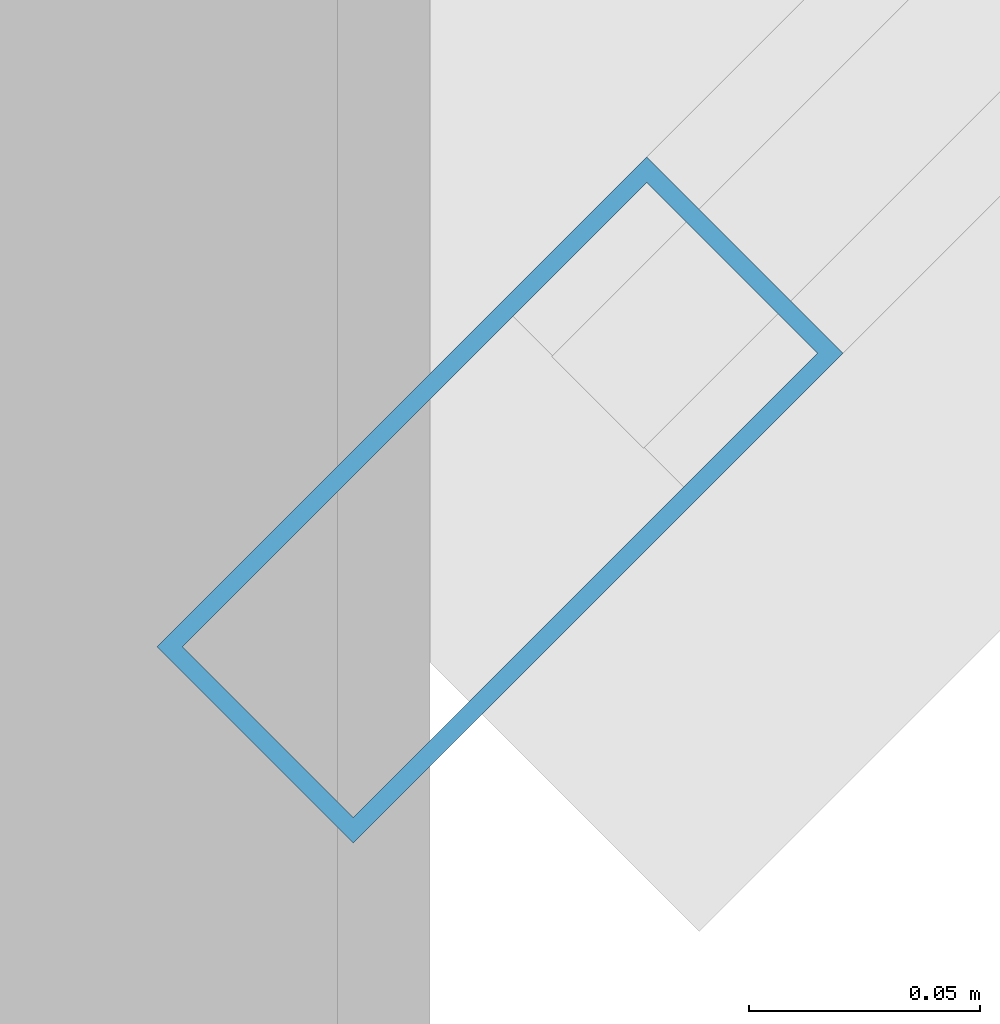
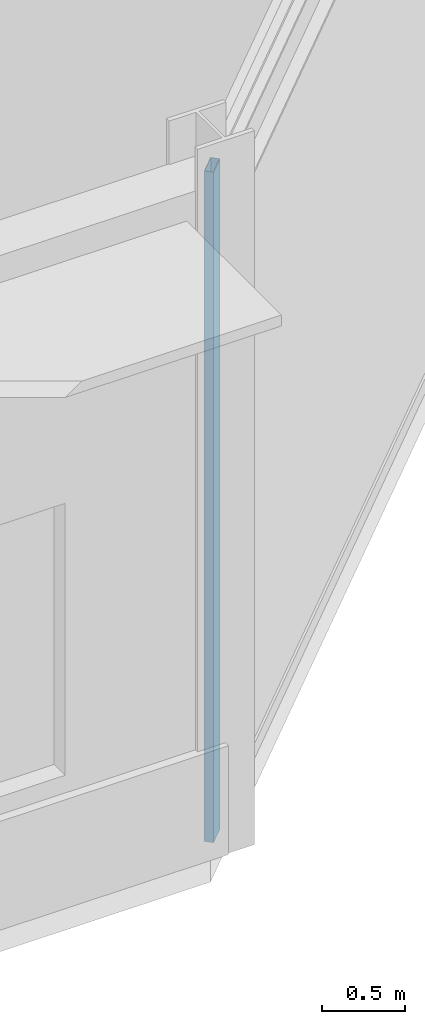
# One storey, part 60 of 168: 1 member, 1 element without a shape of its own.
"""IFC4 building model written with IfcOpenShell, lengths in metres."""

from ifc_helpers import new_model, si_unit, direction, frame, origin, origin_2d, place, context, subcontext, project, spatial, hollow_rectangle, extrude, material, material_profile, profile_set, type_object, element, aggregate, save


model = new_model("IFC4")

# Units and contexts
model_context = context("Model", 3, precision=1e-05, world=origin(), true_north=direction((0.0, 1.0)))
body_context = subcontext(model_context, "Body", "Model", "MODEL_VIEW")
ifc_project = project(units=[si_unit("LENGTHUNIT", "METRE"), si_unit("AREAUNIT", "SQUARE_METRE"), si_unit("VOLUMEUNIT", "CUBIC_METRE"), si_unit("PLANEANGLEUNIT", "RADIAN"), si_unit("MASSUNIT", "GRAM", prefix="KILO")], contexts=[model_context])

# Site, building, storey
site_placement = place(None, origin())
site = spatial("IfcSite", under=ifc_project, at=site_placement, CompositionType="ELEMENT")
building_placement = place(site_placement, origin())
building = spatial("IfcBuilding", under=site, at=building_placement, Name="Almandine Court Research Institute", CompositionType="ELEMENT")
storey_placement = place(building_placement, origin())
storey = spatial("IfcBuildingStorey", under=building, at=storey_placement, Name="L00", CompositionType="ELEMENT", Elevation=0.0)

# Curtain wall, member
ifc_material_1 = material(Name="Unitised Curtain Wall Framing and Solar Glazing", Category="glass")
curtain_wall_type = type_object("IfcCurtainWallType", Name="CW-CWG-04", PredefinedType="USERDEFINED", material=ifc_material_1)
curtain_wall_placement = place(storey_placement, origin())
curtain_wall = element("IfcCurtainWall", 1, at=curtain_wall_placement, inside=storey, type_object=curtain_wall_type, Name="L00 Cleanroom SE Chamfer Glazing", ObjectType="UNITISED GLAZING", PredefinedType="USERDEFINED")
ifc_material_2 = material(Name="Anodised Aluminium AW-6063-T6", Category="aluminium")
ifc_material_profile = material_profile(ifc_material_2, hollow_rectangle(XDim=0.06005859375, YDim=0.14990234375, WallThickness=0.00390625, at=origin_2d()), Name="ALU RHS 60x150x4")
ifc_profile_set = profile_set([ifc_material_profile], Name="Anodised Aluminium AW-6063-T6")
member_type = type_object("IfcMemberType", Name="CWMul-60x150", PredefinedType="MULLION", material=ifc_profile_set)
member_placement = place(storey_placement, frame((30.025146484375, 84.025146484375, 0.0), z_axis=(0.0, 0.0, 1.0), x_axis=(0.707106781187, -0.707106781187, 0.0)))
member = element("IfcMember", 2, at=member_placement, type_object=member_type, Name="CWG-04 mullion 2", PredefinedType="MULLION", context=body_context, shape_type="SweptSolid", body=[
    extrude(hollow_rectangle(XDim=0.06005859375, YDim=0.14990234375, WallThickness=0.00390625, at=origin_2d()), origin(), (0.0, 0.0, 1.0), 4.929931640625),
])
aggregate(curtain_wall, [member])

save(model, "model.ifc")
